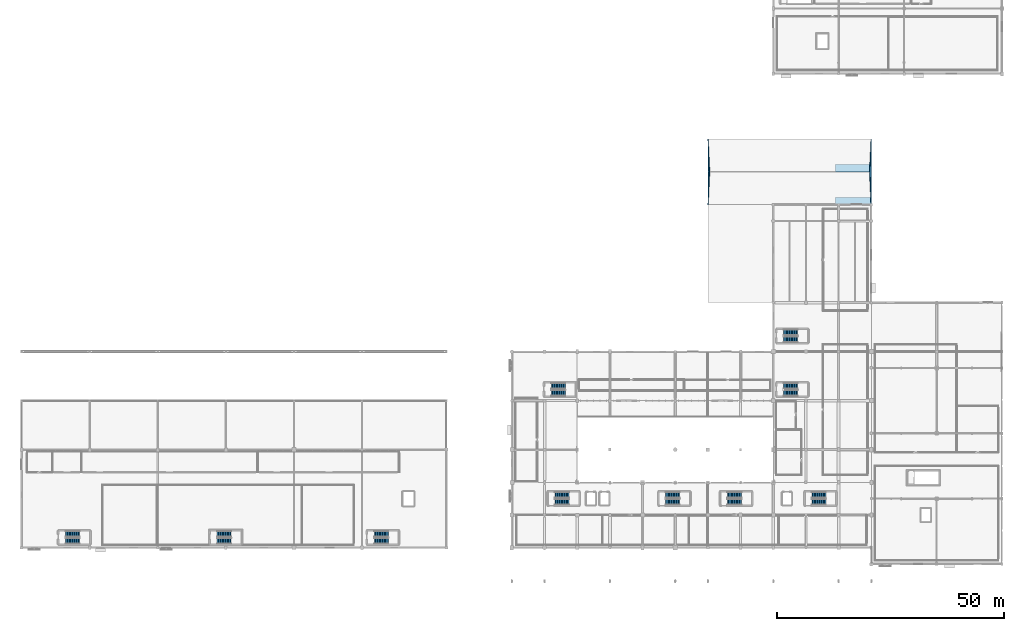
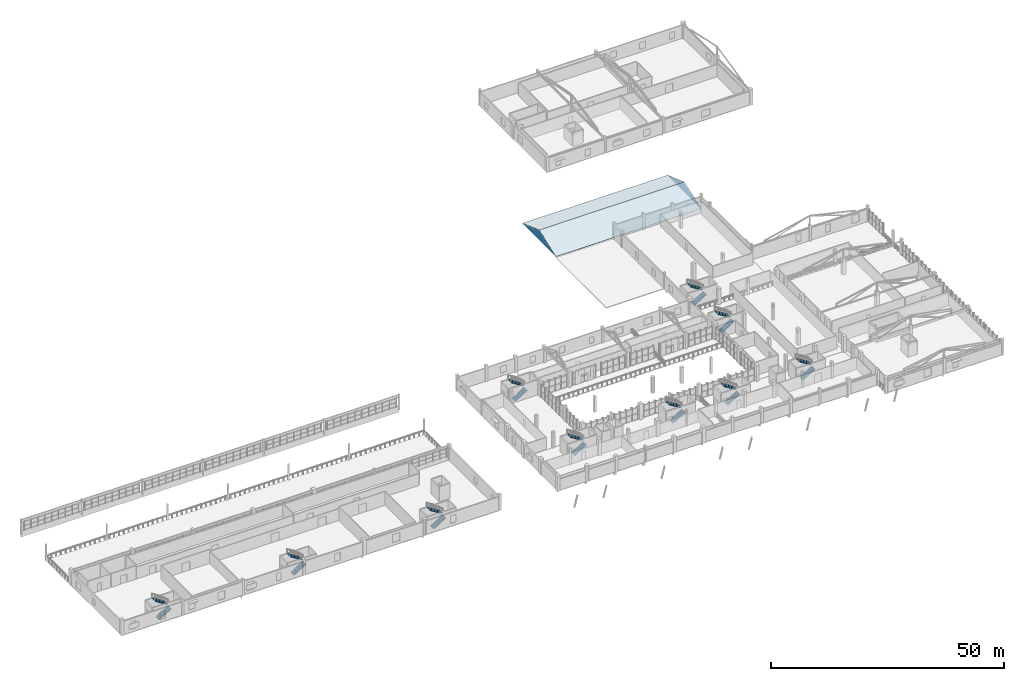
# One storey, part 73 of 92: 20 stair flights, 4 roofs, 10 elements without a shape of their own.
"""IFC4 building model written with IfcOpenShell, lengths in metres."""

from ifc_helpers import new_model, si_unit, direction, frame, origin, place, context, subcontext, project, spatial, polyline, outline, extrude, material, type_object, element, aggregate, save


model = new_model("IFC4")

# Units and contexts
model_context = context("Model", 3, precision=1e-05, world=origin(), true_north=direction((0.0, 1.0)))
body_context = subcontext(model_context, "Body", "Model", "MODEL_VIEW")
ifc_project = project(units=[si_unit("LENGTHUNIT", "METRE"), si_unit("AREAUNIT", "SQUARE_METRE"), si_unit("VOLUMEUNIT", "CUBIC_METRE"), si_unit("PLANEANGLEUNIT", "RADIAN"), si_unit("MASSUNIT", "GRAM", prefix="KILO")], contexts=[model_context])

# Site, building, storey
site_placement = place(None, origin())
site = spatial("IfcSite", under=ifc_project, at=site_placement, CompositionType="ELEMENT")
building_placement = place(site_placement, origin())
building = spatial("IfcBuilding", under=site, at=building_placement, Name="Solanera Park Tramway Depot", CompositionType="ELEMENT")
storey_placement = place(building_placement, frame((0.0, 0.0, 4.800048828125)))
storey = spatial("IfcBuildingStorey", under=building, at=storey_placement, Name="L01", CompositionType="ELEMENT", Elevation=4.800048828125)

# Stair, stair flights
ifc_material_1 = material(Name="Concrete N40 (C40/50)", Category="concrete")
stair_type = type_object("IfcStairType", Name="Stair Half-Turn Dogleg 4200", PredefinedType="HALF_TURN_STAIR", material=ifc_material_1)
stair_1_placement = place(storey_placement, origin())
stair_1 = element("IfcStair", 1, at=stair_1_placement, inside=storey, type_object=stair_type, Name="ST-01 L01 Half-Turn Stair", PredefinedType="HALF_TURN_STAIR")
ifc_material_2 = material(Name="Concrete N40 (C40/50)", Category="concrete")
stair_flight_type = type_object("IfcStairFlightType", Name="Stair Flight Concrete 1300", PredefinedType="STRAIGHT", material=ifc_material_2)
stair_flight_1_placement = place(storey_placement, frame((117.5, 20.875, 0.0), z_axis=(0.0, 0.0, 1.0), x_axis=(1.0, 0.0, 0.0)))
stair_flight_1 = element("IfcStairFlight", 2, at=stair_flight_1_placement, type_object=stair_flight_type, Name="ST-01 L01 Stair Flight 1", NumberOfRisers=12, NumberOfTreads=11, PredefinedType="STRAIGHT", RiserHeight=0.175, TreadLength=0.28, context=body_context, shape_type="SweptSolid", body=[
    extrude(outline(polyline([(0.0, 0.0), (0.0, 0.175048828125), (0.280029296875, 0.175048828125), (0.280029296875, 0.35009765625), (0.56005859375, 0.35009765625), (0.56005859375, 0.52490234375), (0.840087890625, 0.52490234375), (0.840087890625, 0.699951171875), (1.1201171875, 0.699951171875), (1.1201171875, 0.875), (1.39990234375, 0.875), (1.39990234375, 1.050048828125), (1.679931640625, 1.050048828125), (1.679931640625, 1.22509765625), (1.9599609375, 1.22509765625), (1.9599609375, 1.39990234375), (2.239990234375, 1.39990234375), (2.239990234375, 1.574951171875), (2.52001953125, 1.574951171875), (2.52001953125, 1.75), (2.800048828125, 1.75), (2.800048828125, 1.925048828125), (3.080078125, 1.925048828125), (3.080078125, 2.10009765625), (3.080078125, 1.736328125), (0.3017578125, 0.0), (0.0, 0.0)])), frame((0.0, 0.675048828125, 0.0), z_axis=(0.0, -1.0, 0.0), x_axis=(1.0, 0.0, 0.0)), (0.0, 0.0, 1.0), 1.35009765625),
])
stair_flight_2_placement = place(storey_placement, frame((120.580078125, 22.425048828125, 2.099853515625), z_axis=(0.0, 0.0, 1.0), x_axis=(-1.0, 0.0, 0.0)))
stair_flight_2 = element("IfcStairFlight", 3, at=stair_flight_2_placement, type_object=stair_flight_type, Name="ST-01 L01 Stair Flight 2", NumberOfRisers=12, NumberOfTreads=11, PredefinedType="STRAIGHT", RiserHeight=0.175, TreadLength=0.28, context=body_context, shape_type="SweptSolid", body=[
    extrude(outline(polyline([(0.0, 0.0), (0.0, 0.175048828125), (0.280029296875, 0.175048828125), (0.280029296875, 0.35009765625), (0.56005859375, 0.35009765625), (0.56005859375, 0.52490234375), (0.840087890625, 0.52490234375), (0.840087890625, 0.699951171875), (1.1201171875, 0.699951171875), (1.1201171875, 0.875), (1.39990234375, 0.875), (1.39990234375, 1.050048828125), (1.679931640625, 1.050048828125), (1.679931640625, 1.22509765625), (1.9599609375, 1.22509765625), (1.9599609375, 1.39990234375), (2.239990234375, 1.39990234375), (2.239990234375, 1.574951171875), (2.52001953125, 1.574951171875), (2.52001953125, 1.75), (2.800048828125, 1.75), (2.800048828125, 1.925048828125), (3.080078125, 1.925048828125), (3.080078125, 2.10009765625), (3.080078125, 1.736328125), (0.3017578125, 0.0), (0.0, 0.0)])), frame((0.0, 0.675048828125, 0.0), z_axis=(0.0, -1.0, 0.0), x_axis=(1.0, 0.0, 0.0)), (0.0, 0.0, 1.0), 1.35009765625),
])
aggregate(stair_1, [stair_flight_1, stair_flight_2])

stair_2_placement = place(storey_placement, origin())
stair_2 = element("IfcStair", 4, at=stair_2_placement, inside=storey, type_object=stair_type, Name="ST-02 L01 Half-Turn Stair", PredefinedType="HALF_TURN_STAIR")
stair_flight_3_placement = place(storey_placement, frame((141.89990234375, 20.875, 0.0), z_axis=(0.0, 0.0, 1.0), x_axis=(1.0, 0.0, 0.0)))
stair_flight_3 = element("IfcStairFlight", 5, at=stair_flight_3_placement, type_object=stair_flight_type, Name="ST-02 L01 Stair Flight 1", NumberOfRisers=12, NumberOfTreads=11, PredefinedType="STRAIGHT", RiserHeight=0.175, TreadLength=0.28, context=body_context, shape_type="SweptSolid", body=[
    extrude(outline(polyline([(0.0, 0.0), (0.0, 0.175048828125), (0.280029296875, 0.175048828125), (0.280029296875, 0.35009765625), (0.56005859375, 0.35009765625), (0.56005859375, 0.52490234375), (0.840087890625, 0.52490234375), (0.840087890625, 0.699951171875), (1.1201171875, 0.699951171875), (1.1201171875, 0.875), (1.39990234375, 0.875), (1.39990234375, 1.050048828125), (1.679931640625, 1.050048828125), (1.679931640625, 1.22509765625), (1.9599609375, 1.22509765625), (1.9599609375, 1.39990234375), (2.239990234375, 1.39990234375), (2.239990234375, 1.574951171875), (2.52001953125, 1.574951171875), (2.52001953125, 1.75), (2.800048828125, 1.75), (2.800048828125, 1.925048828125), (3.080078125, 1.925048828125), (3.080078125, 2.10009765625), (3.080078125, 1.736328125), (0.3017578125, 0.0), (0.0, 0.0)])), frame((0.0, 0.675048828125, 0.0), z_axis=(0.0, -1.0, 0.0), x_axis=(1.0, 0.0, 0.0)), (0.0, 0.0, 1.0), 1.35009765625),
])
stair_flight_4_placement = place(storey_placement, frame((144.97998046875, 22.425048828125, 2.099853515625), z_axis=(0.0, 0.0, 1.0), x_axis=(-1.0, 0.0, 0.0)))
stair_flight_4 = element("IfcStairFlight", 6, at=stair_flight_4_placement, type_object=stair_flight_type, Name="ST-02 L01 Stair Flight 2", NumberOfRisers=12, NumberOfTreads=11, PredefinedType="STRAIGHT", RiserHeight=0.175, TreadLength=0.28, context=body_context, shape_type="SweptSolid", body=[
    extrude(outline(polyline([(0.0, 0.0), (0.0, 0.175048828125), (0.280029296875, 0.175048828125), (0.280029296875, 0.35009765625), (0.56005859375, 0.35009765625), (0.56005859375, 0.52490234375), (0.840087890625, 0.52490234375), (0.840087890625, 0.699951171875), (1.1201171875, 0.699951171875), (1.1201171875, 0.875), (1.39990234375, 0.875), (1.39990234375, 1.050048828125), (1.679931640625, 1.050048828125), (1.679931640625, 1.22509765625), (1.9599609375, 1.22509765625), (1.9599609375, 1.39990234375), (2.239990234375, 1.39990234375), (2.239990234375, 1.574951171875), (2.52001953125, 1.574951171875), (2.52001953125, 1.75), (2.800048828125, 1.75), (2.800048828125, 1.925048828125), (3.080078125, 1.925048828125), (3.080078125, 2.10009765625), (3.080078125, 1.736328125), (0.3017578125, 0.0), (0.0, 0.0)])), frame((0.0, 0.675048828125, 0.0), z_axis=(0.0, -1.0, 0.0), x_axis=(1.0, 0.0, 0.0)), (0.0, 0.0, 1.0), 1.35009765625),
])
aggregate(stair_2, [stair_flight_3, stair_flight_4])

stair_3_placement = place(storey_placement, origin())
stair_3 = element("IfcStair", 7, at=stair_3_placement, inside=storey, type_object=stair_type, Name="ST-03 L01 Half-Turn Stair", PredefinedType="HALF_TURN_STAIR")
stair_flight_5_placement = place(storey_placement, frame((155.5, 20.875, 0.0), z_axis=(0.0, 0.0, 1.0), x_axis=(1.0, 0.0, 0.0)))
stair_flight_5 = element("IfcStairFlight", 8, at=stair_flight_5_placement, type_object=stair_flight_type, Name="ST-03 L01 Stair Flight 1", NumberOfRisers=12, NumberOfTreads=11, PredefinedType="STRAIGHT", RiserHeight=0.175, TreadLength=0.28, context=body_context, shape_type="SweptSolid", body=[
    extrude(outline(polyline([(0.0, 0.0), (0.0, 0.175048828125), (0.280029296875, 0.175048828125), (0.280029296875, 0.35009765625), (0.56005859375, 0.35009765625), (0.56005859375, 0.52490234375), (0.840087890625, 0.52490234375), (0.840087890625, 0.699951171875), (1.1201171875, 0.699951171875), (1.1201171875, 0.875), (1.39990234375, 0.875), (1.39990234375, 1.050048828125), (1.679931640625, 1.050048828125), (1.679931640625, 1.22509765625), (1.9599609375, 1.22509765625), (1.9599609375, 1.39990234375), (2.239990234375, 1.39990234375), (2.239990234375, 1.574951171875), (2.52001953125, 1.574951171875), (2.52001953125, 1.75), (2.800048828125, 1.75), (2.800048828125, 1.925048828125), (3.080078125, 1.925048828125), (3.080078125, 2.10009765625), (3.080078125, 1.736328125), (0.3017578125, 0.0), (0.0, 0.0)])), frame((0.0, 0.675048828125, 0.0), z_axis=(0.0, -1.0, 0.0), x_axis=(1.0, 0.0, 0.0)), (0.0, 0.0, 1.0), 1.35009765625),
])
stair_flight_6_placement = place(storey_placement, frame((158.580078125, 22.425048828125, 2.099853515625), z_axis=(0.0, 0.0, 1.0), x_axis=(-1.0, 0.0, 0.0)))
stair_flight_6 = element("IfcStairFlight", 9, at=stair_flight_6_placement, type_object=stair_flight_type, Name="ST-03 L01 Stair Flight 2", NumberOfRisers=12, NumberOfTreads=11, PredefinedType="STRAIGHT", RiserHeight=0.175, TreadLength=0.28, context=body_context, shape_type="SweptSolid", body=[
    extrude(outline(polyline([(0.0, 0.0), (0.0, 0.175048828125), (0.280029296875, 0.175048828125), (0.280029296875, 0.35009765625), (0.56005859375, 0.35009765625), (0.56005859375, 0.52490234375), (0.840087890625, 0.52490234375), (0.840087890625, 0.699951171875), (1.1201171875, 0.699951171875), (1.1201171875, 0.875), (1.39990234375, 0.875), (1.39990234375, 1.050048828125), (1.679931640625, 1.050048828125), (1.679931640625, 1.22509765625), (1.9599609375, 1.22509765625), (1.9599609375, 1.39990234375), (2.239990234375, 1.39990234375), (2.239990234375, 1.574951171875), (2.52001953125, 1.574951171875), (2.52001953125, 1.75), (2.800048828125, 1.75), (2.800048828125, 1.925048828125), (3.080078125, 1.925048828125), (3.080078125, 2.10009765625), (3.080078125, 1.736328125), (0.3017578125, 0.0), (0.0, 0.0)])), frame((0.0, 0.675048828125, 0.0), z_axis=(0.0, -1.0, 0.0), x_axis=(1.0, 0.0, 0.0)), (0.0, 0.0, 1.0), 1.35009765625),
])
aggregate(stair_3, [stair_flight_5, stair_flight_6])

stair_4_placement = place(storey_placement, origin())
stair_4 = element("IfcStair", 10, at=stair_4_placement, inside=storey, type_object=stair_type, Name="ST-04 L01 Half-Turn Stair", PredefinedType="HALF_TURN_STAIR")
stair_flight_7_placement = place(storey_placement, frame((174.10009765625, 20.875, 0.0), z_axis=(0.0, 0.0, 1.0), x_axis=(1.0, 0.0, 0.0)))
stair_flight_7 = element("IfcStairFlight", 11, at=stair_flight_7_placement, type_object=stair_flight_type, Name="ST-04 L01 Stair Flight 1", NumberOfRisers=12, NumberOfTreads=11, PredefinedType="STRAIGHT", RiserHeight=0.175, TreadLength=0.28, context=body_context, shape_type="SweptSolid", body=[
    extrude(outline(polyline([(0.0, 0.0), (0.0, 0.175048828125), (0.280029296875, 0.175048828125), (0.280029296875, 0.35009765625), (0.56005859375, 0.35009765625), (0.56005859375, 0.52490234375), (0.840087890625, 0.52490234375), (0.840087890625, 0.699951171875), (1.1201171875, 0.699951171875), (1.1201171875, 0.875), (1.39990234375, 0.875), (1.39990234375, 1.050048828125), (1.679931640625, 1.050048828125), (1.679931640625, 1.22509765625), (1.9599609375, 1.22509765625), (1.9599609375, 1.39990234375), (2.239990234375, 1.39990234375), (2.239990234375, 1.574951171875), (2.52001953125, 1.574951171875), (2.52001953125, 1.75), (2.800048828125, 1.75), (2.800048828125, 1.925048828125), (3.080078125, 1.925048828125), (3.080078125, 2.10009765625), (3.080078125, 1.736328125), (0.3017578125, 0.0), (0.0, 0.0)])), frame((0.0, 0.675048828125, 0.0), z_axis=(0.0, -1.0, 0.0), x_axis=(1.0, 0.0, 0.0)), (0.0, 0.0, 1.0), 1.35009765625),
])
stair_flight_8_placement = place(storey_placement, frame((177.179931640625, 22.425048828125, 2.099853515625), z_axis=(0.0, 0.0, 1.0), x_axis=(-1.0, 0.0, 0.0)))
stair_flight_8 = element("IfcStairFlight", 12, at=stair_flight_8_placement, type_object=stair_flight_type, Name="ST-04 L01 Stair Flight 2", NumberOfRisers=12, NumberOfTreads=11, PredefinedType="STRAIGHT", RiserHeight=0.175, TreadLength=0.28, context=body_context, shape_type="SweptSolid", body=[
    extrude(outline(polyline([(0.0, 0.0), (0.0, 0.175048828125), (0.280029296875, 0.175048828125), (0.280029296875, 0.35009765625), (0.56005859375, 0.35009765625), (0.56005859375, 0.52490234375), (0.840087890625, 0.52490234375), (0.840087890625, 0.699951171875), (1.1201171875, 0.699951171875), (1.1201171875, 0.875), (1.39990234375, 0.875), (1.39990234375, 1.050048828125), (1.679931640625, 1.050048828125), (1.679931640625, 1.22509765625), (1.9599609375, 1.22509765625), (1.9599609375, 1.39990234375), (2.239990234375, 1.39990234375), (2.239990234375, 1.574951171875), (2.52001953125, 1.574951171875), (2.52001953125, 1.75), (2.800048828125, 1.75), (2.800048828125, 1.925048828125), (3.080078125, 1.925048828125), (3.080078125, 2.10009765625), (3.080078125, 1.736328125), (0.3017578125, 0.0), (0.0, 0.0)])), frame((0.0, 0.675048828125, 0.0), z_axis=(0.0, -1.0, 0.0), x_axis=(1.0, 0.0, 0.0)), (0.0, 0.0, 1.0), 1.35009765625),
])
aggregate(stair_4, [stair_flight_7, stair_flight_8])

stair_5_placement = place(storey_placement, origin())
stair_5 = element("IfcStair", 13, at=stair_5_placement, inside=storey, type_object=stair_type, Name="ST-05 L01 Half-Turn Stair", PredefinedType="HALF_TURN_STAIR")
stair_flight_9_placement = place(storey_placement, frame((167.89990234375, 44.875, 0.0), z_axis=(0.0, 0.0, 1.0), x_axis=(1.0, 0.0, 0.0)))
stair_flight_9 = element("IfcStairFlight", 14, at=stair_flight_9_placement, type_object=stair_flight_type, Name="ST-05 L01 Stair Flight 1", NumberOfRisers=12, NumberOfTreads=11, PredefinedType="STRAIGHT", RiserHeight=0.175, TreadLength=0.28, context=body_context, shape_type="SweptSolid", body=[
    extrude(outline(polyline([(0.0, 0.0), (0.0, 0.175048828125), (0.280029296875, 0.175048828125), (0.280029296875, 0.35009765625), (0.56005859375, 0.35009765625), (0.56005859375, 0.52490234375), (0.840087890625, 0.52490234375), (0.840087890625, 0.699951171875), (1.1201171875, 0.699951171875), (1.1201171875, 0.875), (1.39990234375, 0.875), (1.39990234375, 1.050048828125), (1.679931640625, 1.050048828125), (1.679931640625, 1.22509765625), (1.9599609375, 1.22509765625), (1.9599609375, 1.39990234375), (2.239990234375, 1.39990234375), (2.239990234375, 1.574951171875), (2.52001953125, 1.574951171875), (2.52001953125, 1.75), (2.800048828125, 1.75), (2.800048828125, 1.925048828125), (3.080078125, 1.925048828125), (3.080078125, 2.10009765625), (3.080078125, 1.736328125), (0.3017578125, 0.0), (0.0, 0.0)])), frame((0.0, 0.675048828125, 0.0), z_axis=(0.0, -1.0, 0.0), x_axis=(1.0, 0.0, 0.0)), (0.0, 0.0, 1.0), 1.35009765625),
])
stair_flight_10_placement = place(storey_placement, frame((170.97998046875, 46.425048828125, 2.099853515625), z_axis=(0.0, 0.0, 1.0), x_axis=(-1.0, 0.0, 0.0)))
stair_flight_10 = element("IfcStairFlight", 15, at=stair_flight_10_placement, type_object=stair_flight_type, Name="ST-05 L01 Stair Flight 2", NumberOfRisers=12, NumberOfTreads=11, PredefinedType="STRAIGHT", RiserHeight=0.175, TreadLength=0.28, context=body_context, shape_type="SweptSolid", body=[
    extrude(outline(polyline([(0.0, 0.0), (0.0, 0.175048828125), (0.280029296875, 0.175048828125), (0.280029296875, 0.35009765625), (0.56005859375, 0.35009765625), (0.56005859375, 0.52490234375), (0.840087890625, 0.52490234375), (0.840087890625, 0.699951171875), (1.1201171875, 0.699951171875), (1.1201171875, 0.875), (1.39990234375, 0.875), (1.39990234375, 1.050048828125), (1.679931640625, 1.050048828125), (1.679931640625, 1.22509765625), (1.9599609375, 1.22509765625), (1.9599609375, 1.39990234375), (2.239990234375, 1.39990234375), (2.239990234375, 1.574951171875), (2.52001953125, 1.574951171875), (2.52001953125, 1.75), (2.800048828125, 1.75), (2.800048828125, 1.925048828125), (3.080078125, 1.925048828125), (3.080078125, 2.10009765625), (3.080078125, 1.736328125), (0.3017578125, 0.0), (0.0, 0.0)])), frame((0.0, 0.675048828125, 0.0), z_axis=(0.0, -1.0, 0.0), x_axis=(1.0, 0.0, 0.0)), (0.0, 0.0, 1.0), 1.35009765625),
])
aggregate(stair_5, [stair_flight_9, stair_flight_10])

stair_6_placement = place(storey_placement, origin())
stair_6 = element("IfcStair", 16, at=stair_6_placement, inside=storey, type_object=stair_type, Name="ST-06 L01 Half-Turn Stair", PredefinedType="HALF_TURN_STAIR")
stair_flight_11_placement = place(storey_placement, frame((167.89990234375, 56.675048828125, 0.0), z_axis=(0.0, 0.0, 1.0), x_axis=(1.0, 0.0, 0.0)))
stair_flight_11 = element("IfcStairFlight", 17, at=stair_flight_11_placement, type_object=stair_flight_type, Name="ST-06 L01 Stair Flight 1", NumberOfRisers=12, NumberOfTreads=11, PredefinedType="STRAIGHT", RiserHeight=0.175, TreadLength=0.28, context=body_context, shape_type="SweptSolid", body=[
    extrude(outline(polyline([(0.0, 0.0), (0.0, 0.175048828125), (0.280029296875, 0.175048828125), (0.280029296875, 0.35009765625), (0.56005859375, 0.35009765625), (0.56005859375, 0.52490234375), (0.840087890625, 0.52490234375), (0.840087890625, 0.699951171875), (1.1201171875, 0.699951171875), (1.1201171875, 0.875), (1.39990234375, 0.875), (1.39990234375, 1.050048828125), (1.679931640625, 1.050048828125), (1.679931640625, 1.22509765625), (1.9599609375, 1.22509765625), (1.9599609375, 1.39990234375), (2.239990234375, 1.39990234375), (2.239990234375, 1.574951171875), (2.52001953125, 1.574951171875), (2.52001953125, 1.75), (2.800048828125, 1.75), (2.800048828125, 1.925048828125), (3.080078125, 1.925048828125), (3.080078125, 2.10009765625), (3.080078125, 1.736328125), (0.3017578125, 0.0), (0.0, 0.0)])), frame((0.0, 0.675048828125, 0.0), z_axis=(0.0, -1.0, 0.0), x_axis=(1.0, 0.0, 0.0)), (0.0, 0.0, 1.0), 1.35009765625),
])
stair_flight_12_placement = place(storey_placement, frame((170.97998046875, 58.22509765625, 2.099853515625), z_axis=(0.0, 0.0, 1.0), x_axis=(-1.0, 0.0, 0.0)))
stair_flight_12 = element("IfcStairFlight", 18, at=stair_flight_12_placement, type_object=stair_flight_type, Name="ST-06 L01 Stair Flight 2", NumberOfRisers=12, NumberOfTreads=11, PredefinedType="STRAIGHT", RiserHeight=0.175, TreadLength=0.28, context=body_context, shape_type="SweptSolid", body=[
    extrude(outline(polyline([(0.0, 0.0), (0.0, 0.175048828125), (0.280029296875, 0.175048828125), (0.280029296875, 0.35009765625), (0.56005859375, 0.35009765625), (0.56005859375, 0.52490234375), (0.840087890625, 0.52490234375), (0.840087890625, 0.699951171875), (1.1201171875, 0.699951171875), (1.1201171875, 0.875), (1.39990234375, 0.875), (1.39990234375, 1.050048828125), (1.679931640625, 1.050048828125), (1.679931640625, 1.22509765625), (1.9599609375, 1.22509765625), (1.9599609375, 1.39990234375), (2.239990234375, 1.39990234375), (2.239990234375, 1.574951171875), (2.52001953125, 1.574951171875), (2.52001953125, 1.75), (2.800048828125, 1.75), (2.800048828125, 1.925048828125), (3.080078125, 1.925048828125), (3.080078125, 2.10009765625), (3.080078125, 1.736328125), (0.3017578125, 0.0), (0.0, 0.0)])), frame((0.0, 0.675048828125, 0.0), z_axis=(0.0, -1.0, 0.0), x_axis=(1.0, 0.0, 0.0)), (0.0, 0.0, 1.0), 1.35009765625),
])
aggregate(stair_6, [stair_flight_11, stair_flight_12])

stair_7_placement = place(storey_placement, origin())
stair_7 = element("IfcStair", 19, at=stair_7_placement, inside=storey, type_object=stair_type, Name="ST-07 L01 Half-Turn Stair", PredefinedType="HALF_TURN_STAIR")
stair_flight_13_placement = place(storey_placement, frame((116.699951171875, 44.875, 0.0), z_axis=(0.0, 0.0, 1.0), x_axis=(1.0, 0.0, 0.0)))
stair_flight_13 = element("IfcStairFlight", 20, at=stair_flight_13_placement, type_object=stair_flight_type, Name="ST-07 L01 Stair Flight 1", NumberOfRisers=12, NumberOfTreads=11, PredefinedType="STRAIGHT", RiserHeight=0.175, TreadLength=0.28, context=body_context, shape_type="SweptSolid", body=[
    extrude(outline(polyline([(0.0, 0.0), (0.0, 0.175048828125), (0.280029296875, 0.175048828125), (0.280029296875, 0.35009765625), (0.56005859375, 0.35009765625), (0.56005859375, 0.52490234375), (0.840087890625, 0.52490234375), (0.840087890625, 0.699951171875), (1.1201171875, 0.699951171875), (1.1201171875, 0.875), (1.39990234375, 0.875), (1.39990234375, 1.050048828125), (1.679931640625, 1.050048828125), (1.679931640625, 1.22509765625), (1.9599609375, 1.22509765625), (1.9599609375, 1.39990234375), (2.239990234375, 1.39990234375), (2.239990234375, 1.574951171875), (2.52001953125, 1.574951171875), (2.52001953125, 1.75), (2.800048828125, 1.75), (2.800048828125, 1.925048828125), (3.080078125, 1.925048828125), (3.080078125, 2.10009765625), (3.080078125, 1.736328125), (0.3017578125, 0.0), (0.0, 0.0)])), frame((0.0, 0.675048828125, 0.0), z_axis=(0.0, -1.0, 0.0), x_axis=(1.0, 0.0, 0.0)), (0.0, 0.0, 1.0), 1.35009765625),
])
stair_flight_14_placement = place(storey_placement, frame((119.780029296875, 46.425048828125, 2.099853515625), z_axis=(0.0, 0.0, 1.0), x_axis=(-1.0, 0.0, 0.0)))
stair_flight_14 = element("IfcStairFlight", 21, at=stair_flight_14_placement, type_object=stair_flight_type, Name="ST-07 L01 Stair Flight 2", NumberOfRisers=12, NumberOfTreads=11, PredefinedType="STRAIGHT", RiserHeight=0.175, TreadLength=0.28, context=body_context, shape_type="SweptSolid", body=[
    extrude(outline(polyline([(0.0, 0.0), (0.0, 0.175048828125), (0.280029296875, 0.175048828125), (0.280029296875, 0.35009765625), (0.56005859375, 0.35009765625), (0.56005859375, 0.52490234375), (0.840087890625, 0.52490234375), (0.840087890625, 0.699951171875), (1.1201171875, 0.699951171875), (1.1201171875, 0.875), (1.39990234375, 0.875), (1.39990234375, 1.050048828125), (1.679931640625, 1.050048828125), (1.679931640625, 1.22509765625), (1.9599609375, 1.22509765625), (1.9599609375, 1.39990234375), (2.239990234375, 1.39990234375), (2.239990234375, 1.574951171875), (2.52001953125, 1.574951171875), (2.52001953125, 1.75), (2.800048828125, 1.75), (2.800048828125, 1.925048828125), (3.080078125, 1.925048828125), (3.080078125, 2.10009765625), (3.080078125, 1.736328125), (0.3017578125, 0.0), (0.0, 0.0)])), frame((0.0, 0.675048828125, 0.0), z_axis=(0.0, -1.0, 0.0), x_axis=(1.0, 0.0, 0.0)), (0.0, 0.0, 1.0), 1.35009765625),
])
aggregate(stair_7, [stair_flight_13, stair_flight_14])

stair_8_placement = place(storey_placement, origin())
stair_8 = element("IfcStair", 22, at=stair_8_placement, inside=storey, type_object=stair_type, Name="ST-08 L01 Half-Turn Stair", PredefinedType="HALF_TURN_STAIR")
stair_flight_15_placement = place(storey_placement, frame((9.699951171875, 12.27490234375, 0.0), z_axis=(0.0, 0.0, 1.0), x_axis=(1.0, 0.0, 0.0)))
stair_flight_15 = element("IfcStairFlight", 23, at=stair_flight_15_placement, type_object=stair_flight_type, Name="ST-08 L01 Stair Flight 1", NumberOfRisers=12, NumberOfTreads=11, PredefinedType="STRAIGHT", RiserHeight=0.175, TreadLength=0.28, context=body_context, shape_type="SweptSolid", body=[
    extrude(outline(polyline([(0.0, 0.0), (0.0, 0.175048828125), (0.280029296875, 0.175048828125), (0.280029296875, 0.35009765625), (0.56005859375, 0.35009765625), (0.56005859375, 0.52490234375), (0.840087890625, 0.52490234375), (0.840087890625, 0.699951171875), (1.1201171875, 0.699951171875), (1.1201171875, 0.875), (1.39990234375, 0.875), (1.39990234375, 1.050048828125), (1.679931640625, 1.050048828125), (1.679931640625, 1.22509765625), (1.9599609375, 1.22509765625), (1.9599609375, 1.39990234375), (2.239990234375, 1.39990234375), (2.239990234375, 1.574951171875), (2.52001953125, 1.574951171875), (2.52001953125, 1.75), (2.800048828125, 1.75), (2.800048828125, 1.925048828125), (3.080078125, 1.925048828125), (3.080078125, 2.10009765625), (3.080078125, 1.736328125), (0.3017578125, 0.0), (0.0, 0.0)])), frame((0.0, 0.675048828125, 0.0), z_axis=(0.0, -1.0, 0.0), x_axis=(1.0, 0.0, 0.0)), (0.0, 0.0, 1.0), 1.35009765625),
])
stair_flight_16_placement = place(storey_placement, frame((12.780029296875, 13.824951171875, 2.099853515625), z_axis=(0.0, 0.0, 1.0), x_axis=(-1.0, 0.0, 0.0)))
stair_flight_16 = element("IfcStairFlight", 24, at=stair_flight_16_placement, type_object=stair_flight_type, Name="ST-08 L01 Stair Flight 2", NumberOfRisers=12, NumberOfTreads=11, PredefinedType="STRAIGHT", RiserHeight=0.175, TreadLength=0.28, context=body_context, shape_type="SweptSolid", body=[
    extrude(outline(polyline([(0.0, 0.0), (0.0, 0.175048828125), (0.280029296875, 0.175048828125), (0.280029296875, 0.35009765625), (0.56005859375, 0.35009765625), (0.56005859375, 0.52490234375), (0.840087890625, 0.52490234375), (0.840087890625, 0.699951171875), (1.1201171875, 0.699951171875), (1.1201171875, 0.875), (1.39990234375, 0.875), (1.39990234375, 1.050048828125), (1.679931640625, 1.050048828125), (1.679931640625, 1.22509765625), (1.9599609375, 1.22509765625), (1.9599609375, 1.39990234375), (2.239990234375, 1.39990234375), (2.239990234375, 1.574951171875), (2.52001953125, 1.574951171875), (2.52001953125, 1.75), (2.800048828125, 1.75), (2.800048828125, 1.925048828125), (3.080078125, 1.925048828125), (3.080078125, 2.10009765625), (3.080078125, 1.736328125), (0.3017578125, 0.0), (0.0, 0.0)])), frame((0.0, 0.675048828125, 0.0), z_axis=(0.0, -1.0, 0.0), x_axis=(1.0, 0.0, 0.0)), (0.0, 0.0, 1.0), 1.35009765625),
])
aggregate(stair_8, [stair_flight_15, stair_flight_16])

stair_9_placement = place(storey_placement, origin())
stair_9 = element("IfcStair", 25, at=stair_9_placement, inside=storey, type_object=stair_type, Name="ST-09 L01 Half-Turn Stair", PredefinedType="HALF_TURN_STAIR")
stair_flight_17_placement = place(storey_placement, frame((77.699951171875, 12.27490234375, 0.0), z_axis=(0.0, 0.0, 1.0), x_axis=(1.0, 0.0, 0.0)))
stair_flight_17 = element("IfcStairFlight", 26, at=stair_flight_17_placement, type_object=stair_flight_type, Name="ST-09 L01 Stair Flight 1", NumberOfRisers=12, NumberOfTreads=11, PredefinedType="STRAIGHT", RiserHeight=0.175, TreadLength=0.28, context=body_context, shape_type="SweptSolid", body=[
    extrude(outline(polyline([(0.0, 0.0), (0.0, 0.175048828125), (0.280029296875, 0.175048828125), (0.280029296875, 0.35009765625), (0.56005859375, 0.35009765625), (0.56005859375, 0.52490234375), (0.840087890625, 0.52490234375), (0.840087890625, 0.699951171875), (1.1201171875, 0.699951171875), (1.1201171875, 0.875), (1.39990234375, 0.875), (1.39990234375, 1.050048828125), (1.679931640625, 1.050048828125), (1.679931640625, 1.22509765625), (1.9599609375, 1.22509765625), (1.9599609375, 1.39990234375), (2.239990234375, 1.39990234375), (2.239990234375, 1.574951171875), (2.52001953125, 1.574951171875), (2.52001953125, 1.75), (2.800048828125, 1.75), (2.800048828125, 1.925048828125), (3.080078125, 1.925048828125), (3.080078125, 2.10009765625), (3.080078125, 1.736328125), (0.3017578125, 0.0), (0.0, 0.0)])), frame((0.0, 0.675048828125, 0.0), z_axis=(0.0, -1.0, 0.0), x_axis=(1.0, 0.0, 0.0)), (0.0, 0.0, 1.0), 1.35009765625),
])
stair_flight_18_placement = place(storey_placement, frame((80.780029296875, 13.824951171875, 2.099853515625), z_axis=(0.0, 0.0, 1.0), x_axis=(-1.0, 0.0, 0.0)))
stair_flight_18 = element("IfcStairFlight", 27, at=stair_flight_18_placement, type_object=stair_flight_type, Name="ST-09 L01 Stair Flight 2", NumberOfRisers=12, NumberOfTreads=11, PredefinedType="STRAIGHT", RiserHeight=0.175, TreadLength=0.28, context=body_context, shape_type="SweptSolid", body=[
    extrude(outline(polyline([(0.0, 0.0), (0.0, 0.175048828125), (0.280029296875, 0.175048828125), (0.280029296875, 0.35009765625), (0.56005859375, 0.35009765625), (0.56005859375, 0.52490234375), (0.840087890625, 0.52490234375), (0.840087890625, 0.699951171875), (1.1201171875, 0.699951171875), (1.1201171875, 0.875), (1.39990234375, 0.875), (1.39990234375, 1.050048828125), (1.679931640625, 1.050048828125), (1.679931640625, 1.22509765625), (1.9599609375, 1.22509765625), (1.9599609375, 1.39990234375), (2.239990234375, 1.39990234375), (2.239990234375, 1.574951171875), (2.52001953125, 1.574951171875), (2.52001953125, 1.75), (2.800048828125, 1.75), (2.800048828125, 1.925048828125), (3.080078125, 1.925048828125), (3.080078125, 2.10009765625), (3.080078125, 1.736328125), (0.3017578125, 0.0), (0.0, 0.0)])), frame((0.0, 0.675048828125, 0.0), z_axis=(0.0, -1.0, 0.0), x_axis=(1.0, 0.0, 0.0)), (0.0, 0.0, 1.0), 1.35009765625),
])
aggregate(stair_9, [stair_flight_17, stair_flight_18])

stair_10_placement = place(storey_placement, origin())
stair_10 = element("IfcStair", 28, at=stair_10_placement, inside=storey, type_object=stair_type, Name="ST-12 L01 Half-Turn Stair", PredefinedType="HALF_TURN_STAIR")
stair_flight_19_placement = place(storey_placement, frame((43.10009765625, 12.27490234375, 0.0), z_axis=(0.0, 0.0, 1.0), x_axis=(1.0, 0.0, 0.0)))
stair_flight_19 = element("IfcStairFlight", 29, at=stair_flight_19_placement, type_object=stair_flight_type, Name="ST-12 L01 Stair Flight 1", NumberOfRisers=12, NumberOfTreads=11, PredefinedType="STRAIGHT", RiserHeight=0.175, TreadLength=0.28, context=body_context, shape_type="SweptSolid", body=[
    extrude(outline(polyline([(0.0, 0.0), (0.0, 0.175048828125), (0.280029296875, 0.175048828125), (0.280029296875, 0.35009765625), (0.56005859375, 0.35009765625), (0.56005859375, 0.52490234375), (0.840087890625, 0.52490234375), (0.840087890625, 0.699951171875), (1.1201171875, 0.699951171875), (1.1201171875, 0.875), (1.39990234375, 0.875), (1.39990234375, 1.050048828125), (1.679931640625, 1.050048828125), (1.679931640625, 1.22509765625), (1.9599609375, 1.22509765625), (1.9599609375, 1.39990234375), (2.239990234375, 1.39990234375), (2.239990234375, 1.574951171875), (2.52001953125, 1.574951171875), (2.52001953125, 1.75), (2.800048828125, 1.75), (2.800048828125, 1.925048828125), (3.080078125, 1.925048828125), (3.080078125, 2.10009765625), (3.080078125, 1.736328125), (0.3017578125, 0.0), (0.0, 0.0)])), frame((0.0, 0.675048828125, 0.0), z_axis=(0.0, -1.0, 0.0), x_axis=(1.0, 0.0, 0.0)), (0.0, 0.0, 1.0), 1.35009765625),
])
stair_flight_20_placement = place(storey_placement, frame((46.179931640625, 13.824951171875, 2.099853515625), z_axis=(0.0, 0.0, 1.0), x_axis=(-1.0, 0.0, 0.0)))
stair_flight_20 = element("IfcStairFlight", 30, at=stair_flight_20_placement, type_object=stair_flight_type, Name="ST-12 L01 Stair Flight 2", NumberOfRisers=12, NumberOfTreads=11, PredefinedType="STRAIGHT", RiserHeight=0.175, TreadLength=0.28, context=body_context, shape_type="SweptSolid", body=[
    extrude(outline(polyline([(0.0, 0.0), (0.0, 0.175048828125), (0.280029296875, 0.175048828125), (0.280029296875, 0.35009765625), (0.56005859375, 0.35009765625), (0.56005859375, 0.52490234375), (0.840087890625, 0.52490234375), (0.840087890625, 0.699951171875), (1.1201171875, 0.699951171875), (1.1201171875, 0.875), (1.39990234375, 0.875), (1.39990234375, 1.050048828125), (1.679931640625, 1.050048828125), (1.679931640625, 1.22509765625), (1.9599609375, 1.22509765625), (1.9599609375, 1.39990234375), (2.239990234375, 1.39990234375), (2.239990234375, 1.574951171875), (2.52001953125, 1.574951171875), (2.52001953125, 1.75), (2.800048828125, 1.75), (2.800048828125, 1.925048828125), (3.080078125, 1.925048828125), (3.080078125, 2.10009765625), (3.080078125, 1.736328125), (0.3017578125, 0.0), (0.0, 0.0)])), frame((0.0, 0.675048828125, 0.0), z_axis=(0.0, -1.0, 0.0), x_axis=(1.0, 0.0, 0.0)), (0.0, 0.0, 1.0), 1.35009765625),
])
aggregate(stair_10, [stair_flight_19, stair_flight_20])

# Roofs
ifc_material_3 = material(Name="Mission terracotta clay barrel tile roofing", Category="masonry")
roof_type = type_object("IfcRoofType", Name="Spanish Colonial Terracotta Hip Roof Assembly", PredefinedType="HIP_ROOF", material=ifc_material_3)
roof_1_placement = place(storey_placement, frame((151.199951171875, 86.39990234375, 0.245361328125), z_axis=(0.0, -0.338094512169, 0.941112161669), x_axis=(1.0, 0.0, 0.0)))
element("IfcRoof", 31, at=roof_1_placement, inside=storey, type_object=roof_type, Name="Terracotta Pitched Roof V4CP-RF.1", PredefinedType="HIP_ROOF", context=body_context, shape_type="SweptSolid", body=[
    extrude(outline(polyline([(0.0, 0.0), (36.0, 0.0), (36.0, 7.650730280364077), (0.0, 7.650730280364077), (0.0, 0.0)])), origin(), (0.0, 0.0, -1.0), 0.050048828125),
])
roof_2_placement = place(storey_placement, frame((151.199951171875, 93.60009765625, 2.83203125), z_axis=(0.0, 0.338104665975, 0.941108513853), x_axis=(1.0, 0.0, 0.0)))
element("IfcRoof", 32, at=roof_2_placement, inside=storey, type_object=roof_type, Name="Terracotta Pitched Roof V4CP-RF.2", PredefinedType="HIP_ROOF", context=body_context, shape_type="SweptSolid", body=[
    extrude(outline(polyline([(0.0, 0.0), (36.0, 0.0), (36.0, 7.650500517098015), (0.0, 7.650500517098015), (0.0, 0.0)])), origin(), (0.0, 0.0, -1.0), 0.050048828125),
])
roof_3_placement = place(storey_placement, frame((151.199951171875, 100.800048828125, 0.245361328125), z_axis=(-0.990964564293, 0.0, 0.13412394386), x_axis=(0.0, -1.0, 0.0)))
element("IfcRoof", 33, at=roof_3_placement, inside=storey, type_object=roof_type, Name="Terracotta Hip Gable End V4CP-RF.E1", PredefinedType="HIP_ROOF", context=body_context, shape_type="SweptSolid", body=[
    extrude(outline(polyline([(0.0, 0.0), (14.400146484375, 0.0), (7.199951171875, 2.6102547104917866), (0.0, 0.0)])), origin(), (0.0, 0.0, -1.0), 0.050048828125),
])
roof_4_placement = place(storey_placement, frame((187.199951171875, 86.39990234375, 0.245361328125), z_axis=(0.990976991637, 0.0, 0.134032093347), x_axis=(0.0, 1.0, 0.0)))
element("IfcRoof", 34, at=roof_4_placement, inside=storey, type_object=roof_type, Name="Terracotta Hip Gable End V4CP-RF.E2", PredefinedType="HIP_ROOF", context=body_context, shape_type="SweptSolid", body=[
    extrude(outline(polyline([(0.0, 0.0), (14.400146484375, 0.0), (7.2001953125, 2.6102219766004557), (0.0, 0.0)])), origin(), (0.0, 0.0, -1.0), 0.050048828125),
])

save(model, "model.ifc")
